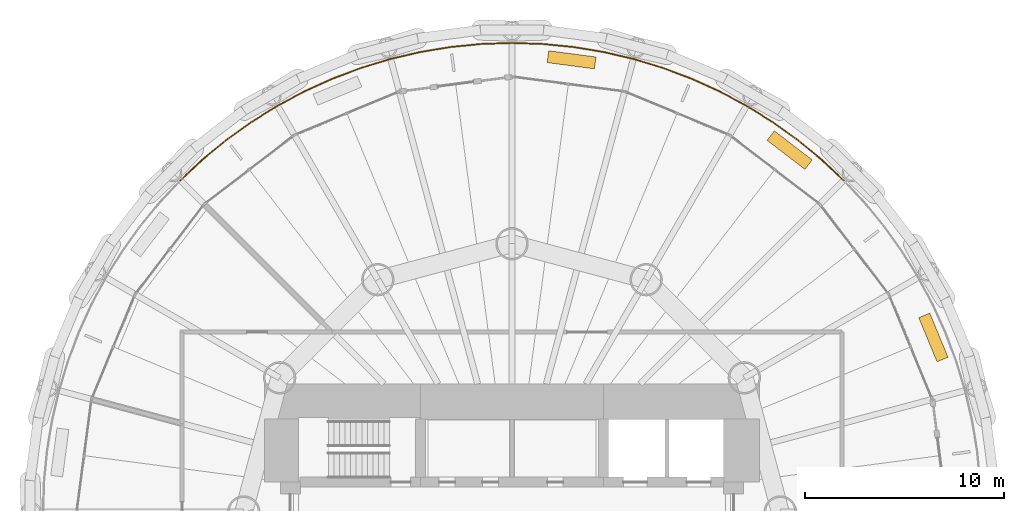
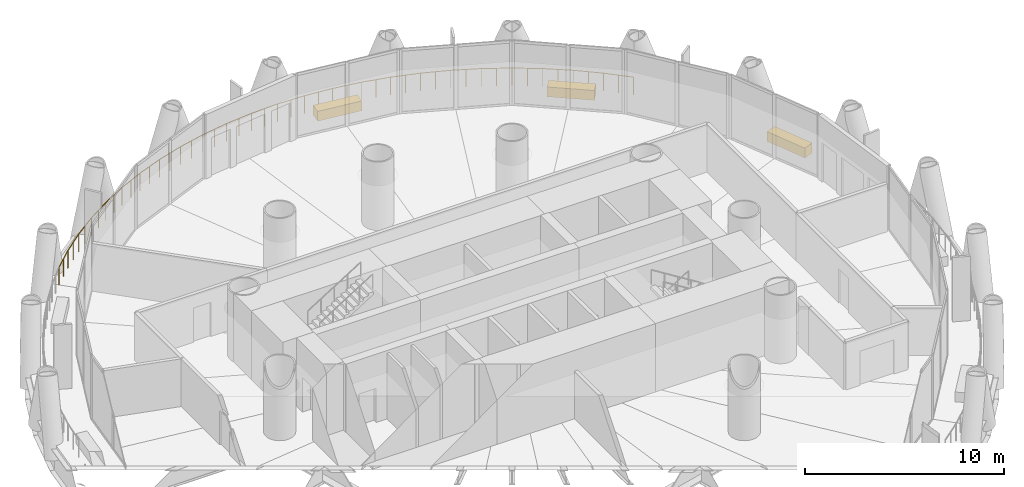
# One storey, part 15 of 15: 3 coverings, 1 railing.
"""IFC4 building model written with IfcOpenShell, lengths in metres."""

from ifc_helpers import new_model, si_unit, direction, frame, origin, origin_2d, place, context, subcontext, project, spatial, rectangle, circle, extrude, material, layer, layer_set, type_object, element, save


model = new_model("IFC4")

# Units and contexts
model_context = context("Model", 3, precision=1e-05, world=origin(), true_north=direction((0.0, 1.0)))
body_context = subcontext(model_context, "Body", "Model", "MODEL_VIEW")
ifc_project = project(units=[si_unit("LENGTHUNIT", "METRE"), si_unit("AREAUNIT", "SQUARE_METRE"), si_unit("VOLUMEUNIT", "CUBIC_METRE"), si_unit("PLANEANGLEUNIT", "RADIAN"), si_unit("MASSUNIT", "GRAM", prefix="KILO")], contexts=[model_context])

# Site, building, storey
site_placement = place(None, origin())
site = spatial("IfcSite", under=ifc_project, at=site_placement, CompositionType="ELEMENT")
building_placement = place(site_placement, origin())
building = spatial("IfcBuilding", under=site, at=building_placement, Name="Qaws Media Tower", CompositionType="ELEMENT")
storey_placement = place(building_placement, frame((0.0, 0.0, 189.800048828125)))
storey = spatial("IfcBuildingStorey", under=building, at=storey_placement, Name="L43", CompositionType="ELEMENT", Elevation=189.800048828125)

# Railing
ifc_material_1 = material(Name="Stainless steel and glass guard", Category="steel")
railing_type = type_object("IfcRailingType", Name="Balcony guard 1100", PredefinedType="GUARDRAIL", material=ifc_material_1)
railing_placement = place(storey_placement, frame((76.687744140625, 66.687744140625, 0.0)))
element("IfcRailing", 1, at=railing_placement, inside=storey, type_object=railing_type, Name="GR1 balcony guard L43-1", PredefinedType="GUARDRAIL", context=body_context, shape_type="SweptSolid", body=[
    extrude(circle(Radius=0.02392578125, at=origin_2d()), frame((0.0, 0.0, 1.076171875), z_axis=(-0.72988713465, 0.683567678195, 0.0), x_axis=(-0.683567678195, -0.72988713465, 0.0)), (0.0, 0.0, 1.0), 1.54443359375),
    extrude(circle(Radius=0.02392578125, at=origin_2d()), frame((-1.127197265625, 1.0556640625, 1.076171875), z_axis=(-0.773019700674, 0.634382016115, 0.0), x_axis=(-0.634382016115, -0.773019700674, 0.0)), (0.0, 0.0, 1.0), 1.54443359375),
    extrude(circle(Radius=0.02392578125, at=origin_2d()), frame((-2.321044921875, 2.035400390625, 1.076171875), z_axis=(-0.812770964156, 0.58258335011, 0.0), x_axis=(-0.58258335011, -0.812770964156, 0.0)), (0.0, 0.0, 1.0), 1.544189453125),
    extrude(circle(Radius=0.02392578125, at=origin_2d()), frame((-3.576171875, 2.93505859375, 1.076171875), z_axis=(-0.849239345456, 0.528008081501, 0.0), x_axis=(-0.528008081501, -0.849239345456, 0.0)), (0.0, 0.0, 1.0), 1.54443359375),
    extrude(circle(Radius=0.02392578125, at=origin_2d()), frame((-4.8876953125, 3.75048828125, 1.076171875), z_axis=(-0.881923737177, 0.471392110461, 0.0), x_axis=(-0.471392110461, -0.881923737177, 0.0)), (0.0, 0.0, 1.0), 1.54443359375),
    extrude(circle(Radius=0.02392578125, at=origin_2d()), frame((-6.249755859375, 4.478515625, 1.076171875), z_axis=(-0.91090709795, 0.412611510873, 0.0), x_axis=(-0.412611510873, -0.91090709795, 0.0)), (0.0, 0.0, 1.0), 1.54443359375),
    extrude(circle(Radius=0.02392578125, at=origin_2d()), frame((-7.656494140625, 5.11572265625, 1.076171875), z_axis=(-0.935860589673, 0.352370482159, 0.0), x_axis=(-0.352370482159, -0.935860589673, 0.0)), (0.0, 0.0, 1.0), 1.54443359375),
    extrude(circle(Radius=0.02392578125, at=origin_2d()), frame((-9.101806640625, 5.659912109375, 1.076171875), z_axis=(-0.956947251227, 0.290261878945, 0.0), x_axis=(-0.290261878945, -0.956947251227, 0.0)), (0.0, 0.0, 1.0), 1.544189453125),
    extrude(circle(Radius=0.02392578125, at=origin_2d()), frame((-10.57958984375, 6.108154296875, 1.076171875), z_axis=(-0.973887835828, 0.227029696794, 0.0), x_axis=(-0.227029696794, -0.973887835828, 0.0)), (0.0, 0.0, 1.0), 1.544189453125),
    extrude(circle(Radius=0.02392578125, at=origin_2d()), frame((-12.08349609375, 6.458740234375, 1.076171875), z_axis=(-0.986632110635, 0.162963426156, 0.0), x_axis=(-0.162963426156, -0.986632110635, 0.0)), (0.0, 0.0, 1.0), 1.544677734375),
    extrude(circle(Radius=0.02392578125, at=origin_2d()), frame((-13.607421875, 6.71044921875, 1.076171875), z_axis=(-0.995184778859, 0.098016610467, 0.0), x_axis=(-0.098016610467, -0.995184778859, 0.0)), (0.0, 0.0, 1.0), 1.544189453125),
    extrude(circle(Radius=0.02392578125, at=origin_2d()), frame((-15.144287109375, 6.86181640625, 1.076171875), z_axis=(-0.999464385061, 0.032725265376, 0.0), x_axis=(-0.032725265376, -0.999464385061, 0.0)), (0.0, 0.0, 1.0), 1.544189453125),
    extrude(circle(Radius=0.02392578125, at=origin_2d()), frame((-16.687744140625, 6.912353515625, 1.076171875), z_axis=(-0.999464385061, -0.032725265376, 0.0), x_axis=(0.032725265376, -0.999464385061, 0.0)), (0.0, 0.0, 1.0), 1.544189453125),
    extrude(circle(Radius=0.02392578125, at=origin_2d()), frame((-18.231201171875, 6.86181640625, 1.076171875), z_axis=(-0.995184778859, -0.098016610467, 0.0), x_axis=(0.098016610467, -0.995184778859, 0.0)), (0.0, 0.0, 1.0), 1.544189453125),
    extrude(circle(Radius=0.02392578125, at=origin_2d()), frame((-19.76806640625, 6.71044921875, 1.076171875), z_axis=(-0.986632110635, -0.162963426156, 0.0), x_axis=(0.162963426156, -0.986632110635, 0.0)), (0.0, 0.0, 1.0), 1.544677734375),
    extrude(circle(Radius=0.02392578125, at=origin_2d()), frame((-21.2919921875, 6.458740234375, 1.076171875), z_axis=(-0.973887835828, -0.227029696794, 0.0), x_axis=(0.227029696794, -0.973887835828, 0.0)), (0.0, 0.0, 1.0), 1.544189453125),
    extrude(circle(Radius=0.02392578125, at=origin_2d()), frame((-22.7958984375, 6.108154296875, 1.076171875), z_axis=(-0.956947251227, -0.290261878945, 0.0), x_axis=(0.290261878945, -0.956947251227, 0.0)), (0.0, 0.0, 1.0), 1.544189453125),
    extrude(circle(Radius=0.02392578125, at=origin_2d()), frame((-24.273681640625, 5.659912109375, 1.076171875), z_axis=(-0.935860589673, -0.352370482159, 0.0), x_axis=(0.352370482159, -0.935860589673, 0.0)), (0.0, 0.0, 1.0), 1.54443359375),
    extrude(circle(Radius=0.02392578125, at=origin_2d()), frame((-25.718994140625, 5.11572265625, 1.076171875), z_axis=(-0.91090709795, -0.412611510873, 0.0), x_axis=(0.412611510873, -0.91090709795, 0.0)), (0.0, 0.0, 1.0), 1.54443359375),
    extrude(circle(Radius=0.02392578125, at=origin_2d()), frame((-27.125732421875, 4.478515625, 1.076171875), z_axis=(-0.881923737177, -0.471392110461, 0.0), x_axis=(0.471392110461, -0.881923737177, 0.0)), (0.0, 0.0, 1.0), 1.54443359375),
    extrude(circle(Radius=0.02392578125, at=origin_2d()), frame((-28.48779296875, 3.75048828125, 1.076171875), z_axis=(-0.849239345456, -0.528008081501, 0.0), x_axis=(0.528008081501, -0.849239345456, 0.0)), (0.0, 0.0, 1.0), 1.54443359375),
    extrude(circle(Radius=0.02392578125, at=origin_2d()), frame((-29.79931640625, 2.93505859375, 1.076171875), z_axis=(-0.812770964156, -0.58258335011, 0.0), x_axis=(0.58258335011, -0.812770964156, 0.0)), (0.0, 0.0, 1.0), 1.544189453125),
    extrude(circle(Radius=0.02392578125, at=origin_2d()), frame((-31.054443359375, 2.035400390625, 1.076171875), z_axis=(-0.773019700674, -0.634382016115, 0.0), x_axis=(0.634382016115, -0.773019700674, 0.0)), (0.0, 0.0, 1.0), 1.54443359375),
    extrude(circle(Radius=0.02392578125, at=origin_2d()), frame((-32.248291015625, 1.0556640625, 1.076171875), z_axis=(-0.72988713465, -0.683567678195, 0.0), x_axis=(0.683567678195, -0.72988713465, 0.0)), (0.0, 0.0, 1.0), 1.54443359375),
    extrude(circle(Radius=0.02099609375, at=origin_2d()), origin(), (0.0, 0.0, 1.0), 1.052001953125),
    extrude(circle(Radius=0.02099609375, at=origin_2d()), frame((-0.5634765625, 0.52783203125, 0.0)), (0.0, 0.0, 1.0), 1.052001953125),
    extrude(circle(Radius=0.02099609375, at=origin_2d()), frame((-1.127197265625, 1.0556640625, 0.0)), (0.0, 0.0, 1.0), 1.052001953125),
    extrude(circle(Radius=0.02099609375, at=origin_2d()), frame((-1.72412109375, 1.54541015625, 0.0)), (0.0, 0.0, 1.0), 1.052001953125),
    extrude(circle(Radius=0.02099609375, at=origin_2d()), frame((-2.321044921875, 2.035400390625, 0.0)), (0.0, 0.0, 1.0), 1.052001953125),
    extrude(circle(Radius=0.02099609375, at=origin_2d()), frame((-2.94873046875, 2.4853515625, 0.0)), (0.0, 0.0, 1.0), 1.052001953125),
    extrude(circle(Radius=0.02099609375, at=origin_2d()), frame((-3.576171875, 2.93505859375, 0.0)), (0.0, 0.0, 1.0), 1.052001953125),
    extrude(circle(Radius=0.02099609375, at=origin_2d()), frame((-4.23193359375, 3.3427734375, 0.0)), (0.0, 0.0, 1.0), 1.052001953125),
    extrude(circle(Radius=0.02099609375, at=origin_2d()), frame((-4.8876953125, 3.75048828125, 0.0)), (0.0, 0.0, 1.0), 1.052001953125),
    extrude(circle(Radius=0.02099609375, at=origin_2d()), frame((-5.56884765625, 4.114501953125, 0.0)), (0.0, 0.0, 1.0), 1.052001953125),
    extrude(circle(Radius=0.02099609375, at=origin_2d()), frame((-6.249755859375, 4.478515625, 0.0)), (0.0, 0.0, 1.0), 1.052001953125),
    extrude(circle(Radius=0.02099609375, at=origin_2d()), frame((-6.953125, 4.797119140625, 0.0)), (0.0, 0.0, 1.0), 1.052001953125),
    extrude(circle(Radius=0.02099609375, at=origin_2d()), frame((-7.656494140625, 5.11572265625, 0.0)), (0.0, 0.0, 1.0), 1.052001953125),
    extrude(circle(Radius=0.02099609375, at=origin_2d()), frame((-8.379150390625, 5.3876953125, 0.0)), (0.0, 0.0, 1.0), 1.052001953125),
    extrude(circle(Radius=0.02099609375, at=origin_2d()), frame((-9.101806640625, 5.659912109375, 0.0)), (0.0, 0.0, 1.0), 1.052001953125),
    extrude(circle(Radius=0.02099609375, at=origin_2d()), frame((-9.8408203125, 5.884033203125, 0.0)), (0.0, 0.0, 1.0), 1.052001953125),
    extrude(circle(Radius=0.02099609375, at=origin_2d()), frame((-10.57958984375, 6.108154296875, 0.0)), (0.0, 0.0, 1.0), 1.052001953125),
    extrude(circle(Radius=0.02099609375, at=origin_2d()), frame((-11.33154296875, 6.283447265625, 0.0)), (0.0, 0.0, 1.0), 1.052001953125),
    extrude(circle(Radius=0.02099609375, at=origin_2d()), frame((-12.08349609375, 6.458740234375, 0.0)), (0.0, 0.0, 1.0), 1.052001953125),
    extrude(circle(Radius=0.02099609375, at=origin_2d()), frame((-12.845458984375, 6.58447265625, 0.0)), (0.0, 0.0, 1.0), 1.052001953125),
    extrude(circle(Radius=0.02099609375, at=origin_2d()), frame((-13.607421875, 6.71044921875, 0.0)), (0.0, 0.0, 1.0), 1.052001953125),
    extrude(circle(Radius=0.02099609375, at=origin_2d()), frame((-14.3759765625, 6.7861328125, 0.0)), (0.0, 0.0, 1.0), 1.052001953125),
    extrude(circle(Radius=0.02099609375, at=origin_2d()), frame((-15.144287109375, 6.86181640625, 0.0)), (0.0, 0.0, 1.0), 1.052001953125),
    extrude(circle(Radius=0.02099609375, at=origin_2d()), frame((-15.916015625, 6.88720703125, 0.0)), (0.0, 0.0, 1.0), 1.052001953125),
    extrude(circle(Radius=0.02099609375, at=origin_2d()), frame((-16.687744140625, 6.912353515625, 0.0)), (0.0, 0.0, 1.0), 1.052001953125),
    extrude(circle(Radius=0.02099609375, at=origin_2d()), frame((-17.45947265625, 6.88720703125, 0.0)), (0.0, 0.0, 1.0), 1.052001953125),
    extrude(circle(Radius=0.02099609375, at=origin_2d()), frame((-18.231201171875, 6.86181640625, 0.0)), (0.0, 0.0, 1.0), 1.052001953125),
    extrude(circle(Radius=0.02099609375, at=origin_2d()), frame((-18.99951171875, 6.7861328125, 0.0)), (0.0, 0.0, 1.0), 1.052001953125),
    extrude(circle(Radius=0.02099609375, at=origin_2d()), frame((-19.76806640625, 6.71044921875, 0.0)), (0.0, 0.0, 1.0), 1.052001953125),
    extrude(circle(Radius=0.02099609375, at=origin_2d()), frame((-20.530029296875, 6.58447265625, 0.0)), (0.0, 0.0, 1.0), 1.052001953125),
    extrude(circle(Radius=0.02099609375, at=origin_2d()), frame((-21.2919921875, 6.458740234375, 0.0)), (0.0, 0.0, 1.0), 1.052001953125),
    extrude(circle(Radius=0.02099609375, at=origin_2d()), frame((-22.0439453125, 6.283447265625, 0.0)), (0.0, 0.0, 1.0), 1.052001953125),
    extrude(circle(Radius=0.02099609375, at=origin_2d()), frame((-22.7958984375, 6.108154296875, 0.0)), (0.0, 0.0, 1.0), 1.052001953125),
    extrude(circle(Radius=0.02099609375, at=origin_2d()), frame((-23.53466796875, 5.884033203125, 0.0)), (0.0, 0.0, 1.0), 1.052001953125),
    extrude(circle(Radius=0.02099609375, at=origin_2d()), frame((-24.273681640625, 5.659912109375, 0.0)), (0.0, 0.0, 1.0), 1.052001953125),
    extrude(circle(Radius=0.02099609375, at=origin_2d()), frame((-24.996337890625, 5.3876953125, 0.0)), (0.0, 0.0, 1.0), 1.052001953125),
    extrude(circle(Radius=0.02099609375, at=origin_2d()), frame((-25.718994140625, 5.11572265625, 0.0)), (0.0, 0.0, 1.0), 1.052001953125),
    extrude(circle(Radius=0.02099609375, at=origin_2d()), frame((-26.42236328125, 4.797119140625, 0.0)), (0.0, 0.0, 1.0), 1.052001953125),
    extrude(circle(Radius=0.02099609375, at=origin_2d()), frame((-27.125732421875, 4.478515625, 0.0)), (0.0, 0.0, 1.0), 1.052001953125),
    extrude(circle(Radius=0.02099609375, at=origin_2d()), frame((-27.806640625, 4.114501953125, 0.0)), (0.0, 0.0, 1.0), 1.052001953125),
    extrude(circle(Radius=0.02099609375, at=origin_2d()), frame((-28.48779296875, 3.75048828125, 0.0)), (0.0, 0.0, 1.0), 1.052001953125),
    extrude(circle(Radius=0.02099609375, at=origin_2d()), frame((-29.1435546875, 3.3427734375, 0.0)), (0.0, 0.0, 1.0), 1.052001953125),
    extrude(circle(Radius=0.02099609375, at=origin_2d()), frame((-29.79931640625, 2.93505859375, 0.0)), (0.0, 0.0, 1.0), 1.052001953125),
    extrude(circle(Radius=0.02099609375, at=origin_2d()), frame((-30.4267578125, 2.4853515625, 0.0)), (0.0, 0.0, 1.0), 1.052001953125),
    extrude(circle(Radius=0.02099609375, at=origin_2d()), frame((-31.054443359375, 2.035400390625, 0.0)), (0.0, 0.0, 1.0), 1.052001953125),
    extrude(circle(Radius=0.02099609375, at=origin_2d()), frame((-31.6513671875, 1.54541015625, 0.0)), (0.0, 0.0, 1.0), 1.052001953125),
    extrude(circle(Radius=0.02099609375, at=origin_2d()), frame((-32.248291015625, 1.0556640625, 0.0)), (0.0, 0.0, 1.0), 1.052001953125),
    extrude(circle(Radius=0.02099609375, at=origin_2d()), frame((-32.81201171875, 0.52783203125, 0.0)), (0.0, 0.0, 1.0), 1.052001953125),
    extrude(circle(Radius=0.02099609375, at=origin_2d()), frame((-33.37548828125, 0.0, 0.0)), (0.0, 0.0, 1.0), 1.052001953125),
])

# Coverings
ifc_material_2 = material(Name="Precast concrete planter with trailing planting", Category="concrete")
ifc_layer = layer(ifc_material_2, 0.60009765625)
ifc_layer_set = layer_set([ifc_layer], Name="Planter 2400x600")
covering_type = type_object("IfcCoveringType", Name="Planter 2400x600", PredefinedType="USERDEFINED", material=ifc_layer_set)
for number, where, z_axis, x_axis, name in (
    (2, (81.203125, 58.782470703125, 0.0), (0.0, 0.0, 1.0), (-0.382683432365, 0.923879532511, 0.0), "PL1 balcony planter L43-01"),
    (3, (73.97119140625, 68.20751953125, 0.0), (0.0, 0.0, 1.0), (-0.793353340291, 0.608761429009, 0.0), "PL1 balcony planter L43-02"),
    (4, (62.99560546875, 72.753662109375, 0.0), (0.0, 0.0, 1.0), (-0.991444861374, 0.13052619222, 0.0), "PL1 balcony planter L43-03"),
):
    element("IfcCovering", number, at=place(storey_placement, frame(where, z_axis=z_axis, x_axis=x_axis)), inside=storey, type_object=covering_type, Name=name, ObjectType="PLANTER", PredefinedType="USERDEFINED", context=body_context, shape_type="SweptSolid", body=[
        extrude(rectangle(XDim=2.39990234375, YDim=0.60009765625, at=origin_2d()), origin(), (0.0, 0.0, 1.0), 0.60009765625),
    ])

save(model, "model.ifc")
